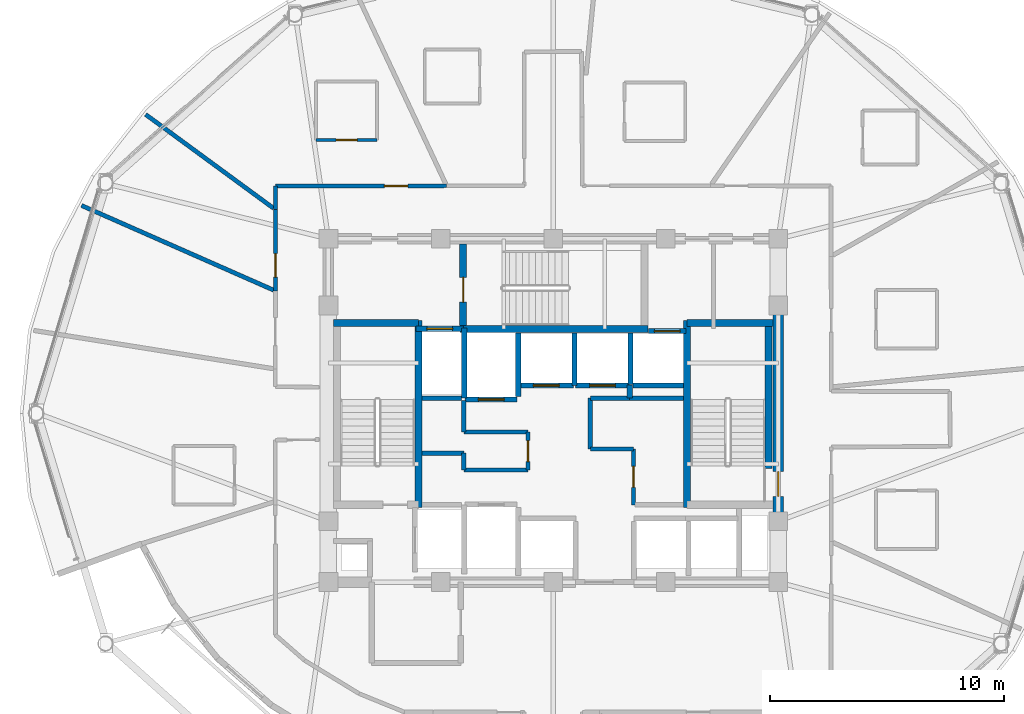
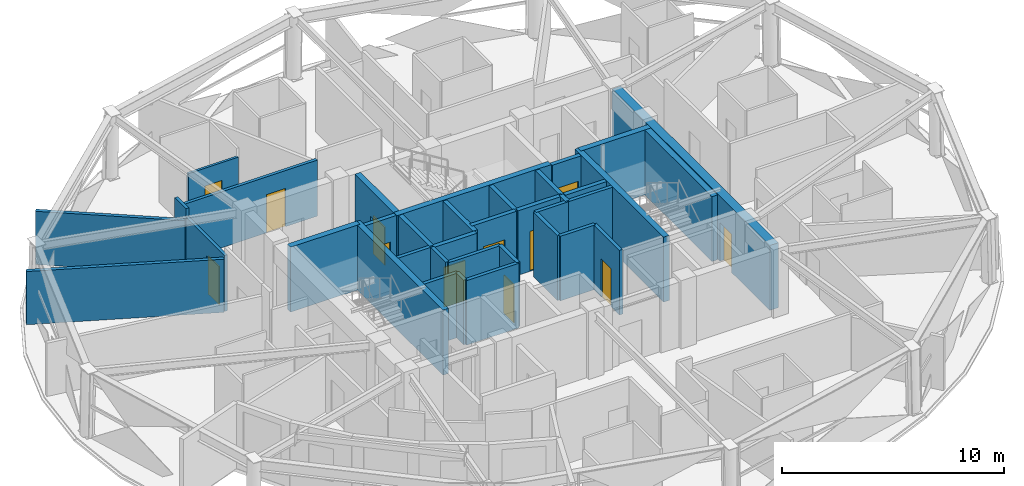
# One storey, part 12 of 18: 37 walls, 12 doors, 12 openings.
"""IFC4 building model written with IfcOpenShell, lengths in metres."""

from ifc_helpers import new_model, si_unit, direction, frame, frame_2d, origin, place, context, subcontext, project, spatial, rectangle, extrude, material, layer, layer_set, type_object, element, fill, save


model = new_model("IFC4")

# Units and contexts
model_context = context("Model", 3, precision=1e-05, world=origin(), true_north=direction((0.0, 1.0)))
body_context = subcontext(model_context, "Body", "Model", "MODEL_VIEW")
ifc_project = project(units=[si_unit("LENGTHUNIT", "METRE"), si_unit("AREAUNIT", "SQUARE_METRE"), si_unit("VOLUMEUNIT", "CUBIC_METRE"), si_unit("PLANEANGLEUNIT", "RADIAN"), si_unit("MASSUNIT", "GRAM", prefix="KILO")], contexts=[model_context])

# Site, building, storey
site_placement = place(None, origin())
site = spatial("IfcSite", under=ifc_project, at=site_placement, CompositionType="ELEMENT")
building_placement = place(site_placement, origin())
building = spatial("IfcBuilding", under=site, at=building_placement, Name="Vantalir Tower", CompositionType="ELEMENT")
storey_placement = place(building_placement, frame((0.0, 0.0, 216.14990234375)))
storey = spatial("IfcBuildingStorey", under=building, at=storey_placement, Name="L54", CompositionType="ELEMENT", Elevation=216.14990234375)

# Wall, opening, door
ifc_material_1 = material(Name="Moisture-resistant en-suite partition", Category="gypsum")
ifc_layer_1 = layer(ifc_material_1, 0.125)
ifc_layer_set_1 = layer_set([ifc_layer_1], Name="Moisture-resistant en-suite partition")
wall_type_1 = type_object("IfcWallType", Name="WL-BATH-125", PredefinedType="PARTITIONING", material=ifc_layer_set_1)
wall_1_placement = place(storey_placement, frame((21.3779296875, 36.6650390625, 0.0), z_axis=(0.0, 0.0, 1.0), x_axis=(1.0, 0.0, 0.0)))
wall_1 = element("IfcWall", 1, at=wall_1_placement, inside=storey, type_object=wall_type_1, Name="L54 En-suite 05 South Wall", PredefinedType="PARTITIONING", context=body_context, shape_type="SweptSolid", body=[
    extrude(rectangle(XDim=2.60009765625, YDim=0.125, at=frame_2d((1.300048828125, 0.0))), origin(), (0.0, 0.0, 1.0), 3.0810546875),
])
opening_1_placement = place(wall_1_placement, frame((0.85009765625, 0.0, 0.0)))
opening_1 = element("IfcOpeningElement", 2, at=opening_1_placement, cuts=wall_1, Name="Opening D-WC", PredefinedType="OPENING", context=body_context, shape_type="SweptSolid", body=[
    extrude(rectangle(XDim=0.89990234375, YDim=2.10009765625, at=frame_2d((0.449951171875, 1.050048828125))), frame((0.0, 0.072509765625, 0.0), z_axis=(0.0, -1.0, 0.0), x_axis=(1.0, 0.0, 0.0)), (0.0, 0.0, 1.0), 0.14501953125),
])
ifc_material_2 = material(Name="Moisture-resistant hardwood door", Category="wood")
door_type_1 = type_object("IfcDoorType", Name="DR-ENSUITE-900", OperationType="NOTDEFINED", PredefinedType="DOOR", material=ifc_material_2)
door_1_placement = place(opening_1_placement, origin())
door_1 = element("IfcDoor", 3, at=door_1_placement, inside=storey, type_object=door_type_1, Name="L54 En-suite 05 Door", OperationType="SINGLE_SWING_RIGHT", OverallHeight=2.10009765625, OverallWidth=0.89990234375, PredefinedType="DOOR", context=body_context, shape_type="SweptSolid", body=[
    extrude(rectangle(XDim=0.89990234375, YDim=2.10009765625, at=frame_2d((0.449951171875, 1.050048828125))), frame((0.0, 0.02490234375, 0.0), z_axis=(0.0, -1.0, 0.0), x_axis=(1.0, 0.0, 0.0)), (0.0, 0.0, 1.0), 0.050048828125),
])
fill(opening_1, door_1)

ifc_material_3 = material(Name="Concrete C50/60", Category="concrete")
ifc_layer_2 = layer(ifc_material_3, 0.449951171875)
ifc_layer_set_2 = layer_set([ifc_layer_2], Name="Concrete C50/60")
wall_type_2 = type_object("IfcWallType", Name="WL-CORE-450", PredefinedType="SHEAR", material=ifc_layer_set_2)
wall_2_placement = place(storey_placement, frame((41.10009765625, 18.02490234375, 0.0), z_axis=(0.0, 0.0, 1.0), x_axis=(0.0, 1.0, 0.0)))
wall_2 = element("IfcWall", 4, at=wall_2_placement, inside=storey, type_object=wall_type_2, Name="L54 Core Shear Wall East", PredefinedType="SHEAR", context=body_context, shape_type="SweptSolid", body=[
    extrude(rectangle(XDim=14.2001953125, YDim=0.449951171875, at=frame_2d((7.10009765625, 0.0))), origin(), (0.0, 0.0, 1.0), 3.570068359375),
])
opening_2_placement = place(wall_2_placement, frame((3.43505859375, 0.0, 0.0)))
opening_2 = element("IfcOpeningElement", 5, at=opening_2_placement, cuts=wall_2, Name="Opening D-ST", PredefinedType="OPENING", context=body_context, shape_type="SweptSolid", body=[
    extrude(rectangle(XDim=1.050048828125, YDim=2.10009765625, at=frame_2d((0.52490234375, 1.050048828125))), frame((0.0, 0.23486328125, 0.0), z_axis=(0.0, -1.0, 0.0), x_axis=(1.0, 0.0, 0.0)), (0.0, 0.0, 1.0), 0.469970703125),
])
ifc_material_4 = material(Name="Fire-rated steel door leaf", Category="steel")
door_type_2 = type_object("IfcDoorType", Name="DR-FIRE-STAIR-1050", OperationType="NOTDEFINED", PredefinedType="DOOR", material=ifc_material_4)
door_2_placement = place(opening_2_placement, origin())
door_2 = element("IfcDoor", 6, at=door_2_placement, inside=storey, type_object=door_type_2, Name="L54 Exit Stair ST2 Fire Door", OperationType="SINGLE_SWING_LEFT", OverallHeight=2.10009765625, OverallWidth=1.050048828125, PredefinedType="DOOR", context=body_context, shape_type="SweptSolid", body=[
    extrude(rectangle(XDim=1.050048828125, YDim=2.10009765625, at=frame_2d((0.52490234375, 1.050048828125))), frame((0.0, 0.02490234375, 0.0), z_axis=(0.0, -1.0, 0.0), x_axis=(1.0, 0.0, 0.0)), (0.0, 0.0, 1.0), 0.050048828125),
])
fill(opening_2, door_2)

ifc_material_5 = material(Name="Fire-rated hotel corridor acoustic partition", Category="gypsum")
ifc_layer_3 = layer(ifc_material_5, 0.159912109375)
ifc_layer_set_3 = layer_set([ifc_layer_3], Name="Fire-rated hotel corridor acoustic partition")
wall_type_3 = type_object("IfcWallType", Name="WL-CORR-160", PredefinedType="PARTITIONING", material=ifc_layer_set_3)
wall_3_placement = place(storey_placement, frame((19.639892578125, 30.22607421875, 0.0), z_axis=(0.0, 0.0, 1.0), x_axis=(0.000915428107, 0.999999580996, 0.0)))
wall_3 = element("IfcWall", 7, at=wall_3_placement, inside=storey, type_object=wall_type_3, Name="L54 Corridor Partition 04", PredefinedType="PARTITIONING", context=body_context, shape_type="SweptSolid", body=[
    extrude(rectangle(XDim=3.467041015625, YDim=0.159912109375, at=frame_2d((1.7333984375, 0.0))), origin(), (0.0, 0.0, 1.0), 3.0810546875),
])
opening_3_placement = place(wall_3_placement, frame((0.589111328125, 0.0, 0.0)))
opening_3 = element("IfcOpeningElement", 8, at=opening_3_placement, cuts=wall_3, Name="Opening D-GUEST", PredefinedType="OPENING", context=body_context, shape_type="SweptSolid", body=[
    extrude(rectangle(XDim=1.0, YDim=2.10009765625, at=frame_2d((0.5, 1.050048828125))), frame((0.0, 0.08984375, 0.0), z_axis=(0.0, -1.0, 0.0), x_axis=(1.0, 0.0, 0.0)), (0.0, 0.0, 1.0), 0.179931640625),
])
ifc_material_6 = material(Name="Solid-core teak veneer acoustic fire door", Category="wood")
door_type_3 = type_object("IfcDoorType", Name="DR-GUEST-ENTRY-1000", OperationType="NOTDEFINED", PredefinedType="DOOR", material=ifc_material_6)
door_3_placement = place(opening_3_placement, origin())
door_3 = element("IfcDoor", 9, at=door_3_placement, inside=storey, type_object=door_type_3, Name="L54 Executive Business Study 06 Door", OperationType="SINGLE_SWING_LEFT", OverallHeight=2.10009765625, OverallWidth=1.0, PredefinedType="DOOR", context=body_context, shape_type="SweptSolid", body=[
    extrude(rectangle(XDim=1.0, YDim=2.10009765625, at=frame_2d((0.5, 1.050048828125))), frame((0.0, 0.02490234375, 0.0), z_axis=(0.0, -1.0, 0.0), x_axis=(1.0, 0.0, 0.0)), (0.0, 0.0, 1.0), 0.050048828125),
])
fill(opening_3, door_3)

# Wall
wall_4_placement = place(storey_placement, frame((19.64306640625, 33.693115234375, 0.0), z_axis=(0.0, 0.0, 1.0), x_axis=(0.000969931649, 0.999999529616, 0.0)))
element("IfcWall", 10, at=wall_4_placement, inside=storey, type_object=wall_type_3, Name="L54 Corridor Partition 05", PredefinedType="PARTITIONING", context=body_context, shape_type="SweptSolid", body=[
    extrude(rectangle(XDim=1.0068359375, YDim=0.159912109375, at=frame_2d((0.50341796875, 0.0))), origin(), (0.0, 0.0, 1.0), 3.550048828125),
])

# Wall, opening, door
wall_5_placement = place(storey_placement, frame((19.64404296875, 34.699951171875, 0.0), z_axis=(0.0, 0.0, 1.0), x_axis=(0.999999060672, 0.00137064024, 0.0)))
wall_5 = element("IfcWall", 11, at=wall_5_placement, inside=storey, type_object=wall_type_3, Name="L54 Corridor Partition 06", PredefinedType="PARTITIONING", context=body_context, shape_type="SweptSolid", body=[
    extrude(rectangle(XDim=7.302978515625, YDim=0.159912109375, at=frame_2d((3.6513671875, 0.0))), origin(), (0.0, 0.0, 1.0), 3.0810546875),
])
opening_4_placement = place(wall_5_placement, frame((4.64697265625, 0.0, 0.0)))
opening_4 = element("IfcOpeningElement", 12, at=opening_4_placement, cuts=wall_5, Name="Opening D-GUEST", PredefinedType="OPENING", context=body_context, shape_type="SweptSolid", body=[
    extrude(rectangle(XDim=1.0, YDim=2.10009765625, at=frame_2d((0.5, 1.050048828125))), frame((0.0, 0.08984375, 0.0), z_axis=(0.0, -1.0, 0.0), x_axis=(1.0, 0.0, 0.0)), (0.0, 0.0, 1.0), 0.179931640625),
])
door_4_placement = place(opening_4_placement, origin())
door_4 = element("IfcDoor", 13, at=door_4_placement, inside=storey, type_object=door_type_3, Name="L54 Twin Queen Hotel Room 05 Door", OperationType="SINGLE_SWING_RIGHT", OverallHeight=2.10009765625, OverallWidth=1.0, PredefinedType="DOOR", context=body_context, shape_type="SweptSolid", body=[
    extrude(rectangle(XDim=1.0, YDim=2.10009765625, at=frame_2d((0.5, 1.050048828125))), frame((0.0, 0.02490234375, 0.0), z_axis=(0.0, -1.0, 0.0), x_axis=(1.0, 0.0, 0.0)), (0.0, 0.0, 1.0), 0.050048828125),
])
fill(opening_4, door_4)

# Walls
ifc_material_7 = material(Name="Concrete blockwork with fireboard lining", Category="masonry")
ifc_layer_4 = layer(ifc_material_7, 0.219970703125)
ifc_layer_set_4 = layer_set([ifc_layer_4], Name="Concrete blockwork with fireboard lining")
wall_type_4 = type_object("IfcWallType", Name="WL-FFL-220", PredefinedType="PARTITIONING", material=ifc_layer_set_4)
wall_6_placement = place(storey_placement, frame((30.0, 25.7099609375, 0.0), z_axis=(0.0, 0.0, 1.0), x_axis=(0.0, 1.0, 0.0)))
element("IfcWall", 14, at=wall_6_placement, inside=storey, type_object=wall_type_4, Name="L54 Service Lift SV2 East Shaft Wall", PredefinedType="PARTITIONING", context=body_context, shape_type="SweptSolid", body=[
    extrude(rectangle(XDim=2.72998046875, YDim=0.219970703125, at=frame_2d((1.364990234375, 0.0))), origin(), (0.0, 0.0, 1.0), 3.545166015625),
])
wall_7_placement = place(storey_placement, frame((32.39990234375, 26.199951171875, 0.0), z_axis=(0.0, 0.0, 1.0), x_axis=(0.0, 1.0, 0.0)))
element("IfcWall", 15, at=wall_7_placement, inside=storey, type_object=wall_type_4, Name="L54 High-Rise Lift PL-H1/H2 Shaft Divider", PredefinedType="PARTITIONING", context=body_context, shape_type="SweptSolid", body=[
    extrude(rectangle(XDim=2.239990234375, YDim=0.219970703125, at=frame_2d((1.1201171875, 0.0))), origin(), (0.0, 0.0, 1.0), 3.545166015625),
])
wall_8_placement = place(storey_placement, frame((34.800048828125, 26.22998046875, 0.0), z_axis=(0.0, 0.0, 1.0), x_axis=(0.0, 1.0, 0.0)))
element("IfcWall", 16, at=wall_8_placement, inside=storey, type_object=wall_type_4, Name="L54 High-Rise Lift PL-H2/H3 Shaft Divider", PredefinedType="PARTITIONING", context=body_context, shape_type="SweptSolid", body=[
    extrude(rectangle(XDim=2.2099609375, YDim=0.219970703125, at=frame_2d((1.10498046875, 0.0))), origin(), (0.0, 0.0, 1.0), 3.545166015625),
])
wall_9_placement = place(storey_placement, frame((34.909912109375, 26.18994140625, 0.0), z_axis=(0.0, 0.0, 1.0), x_axis=(1.0, 0.0, 0.0)))
element("IfcWall", 17, at=wall_9_placement, inside=storey, type_object=wall_type_4, Name="L54 High-Rise Lift PL-H3 Rear Shaft Wall", PredefinedType="PARTITIONING", context=body_context, shape_type="SweptSolid", body=[
    extrude(rectangle(XDim=2.14013671875, YDim=0.219970703125, at=frame_2d((1.070068359375, 0.0))), origin(), (0.0, 0.0, 1.0), 3.545166015625),
])

# Wall, opening, door
wall_10_placement = place(storey_placement, frame((25.639892578125, 28.610107421875, 0.0), z_axis=(0.0, 0.0, 1.0), x_axis=(1.0, 0.0, 0.0)))
wall_10 = element("IfcWall", 18, at=wall_10_placement, inside=storey, type_object=wall_type_4, Name="L54 Lift FL2 Shaft Front Wall", PredefinedType="PARTITIONING", context=body_context, shape_type="SweptSolid", body=[
    extrude(rectangle(XDim=2.02001953125, YDim=0.219970703125, at=frame_2d((1.010009765625, 0.0))), origin(), (0.0, 0.0, 1.0), 3.550048828125),
])
opening_5_placement = place(wall_10_placement, frame((0.4599609375, 0.0, 0.0)))
opening_5 = element("IfcOpeningElement", 19, at=opening_5_placement, cuts=wall_10, Name="Opening LD-FL2", PredefinedType="OPENING", context=body_context, shape_type="SweptSolid", body=[
    extrude(rectangle(XDim=1.10009765625, YDim=2.199951171875, at=frame_2d((0.550048828125, 1.10009765625))), frame((0.0, 0.119873046875, 0.0), z_axis=(0.0, -1.0, 0.0), x_axis=(1.0, 0.0, 0.0)), (0.0, 0.0, 1.0), 0.239990234375),
])
ifc_material_8 = material(Name="Brushed stainless-steel sliding lift landing door", Category="steel")
door_type_4 = type_object("IfcDoorType", Name="DR-LIFT-LANDING-1100", OperationType="DOUBLE_DOOR_SLIDING", PredefinedType="DOOR", material=ifc_material_8)
door_5_placement = place(opening_5_placement, origin())
door_5 = element("IfcDoor", 20, at=door_5_placement, inside=storey, type_object=door_type_4, Name="L54 Lift Landing Door FL2", OperationType="DOUBLE_DOOR_SLIDING", OverallHeight=2.199951171875, OverallWidth=1.10009765625, PredefinedType="DOOR", context=body_context, shape_type="SweptSolid", body=[
    extrude(rectangle(XDim=1.10009765625, YDim=2.199951171875, at=frame_2d((0.550048828125, 1.10009765625))), frame((0.0, 0.02490234375, 0.0), z_axis=(0.0, -1.0, 0.0), x_axis=(1.0, 0.0, 0.0)), (0.0, 0.0, 1.0), 0.050048828125),
])
fill(opening_5, door_5)

wall_11_placement = place(storey_placement, frame((27.739990234375, 25.590087890625, 0.0), z_axis=(0.0, 0.0, 1.0), x_axis=(1.0, 0.0, 0.0)))
wall_11 = element("IfcWall", 21, at=wall_11_placement, inside=storey, type_object=wall_type_4, Name="L54 Lift SV2 Shaft Front Wall", PredefinedType="PARTITIONING", context=body_context, shape_type="SweptSolid", body=[
    extrude(rectangle(XDim=2.219970703125, YDim=0.219970703125, at=frame_2d((1.10986328125, 0.0))), origin(), (0.0, 0.0, 1.0), 3.550048828125),
])
opening_6_placement = place(wall_11_placement, frame((0.56005859375, 0.0, 0.0)))
opening_6 = element("IfcOpeningElement", 22, at=opening_6_placement, cuts=wall_11, Name="Opening LD-SV2", PredefinedType="OPENING", context=body_context, shape_type="SweptSolid", body=[
    extrude(rectangle(XDim=1.10009765625, YDim=2.199951171875, at=frame_2d((0.550048828125, 1.10009765625))), frame((0.0, 0.119873046875, 0.0), z_axis=(0.0, -1.0, 0.0), x_axis=(1.0, 0.0, 0.0)), (0.0, 0.0, 1.0), 0.239990234375),
])
door_6_placement = place(opening_6_placement, frame((1.10009765625, 0.0, 0.0), z_axis=(0.0, 0.0, 1.0), x_axis=(-1.0, 0.0, 0.0)))
door_6 = element("IfcDoor", 23, at=door_6_placement, inside=storey, type_object=door_type_4, Name="L54 Lift Landing Door SV2", OperationType="DOUBLE_DOOR_SLIDING", OverallHeight=2.199951171875, OverallWidth=1.10009765625, PredefinedType="DOOR", context=body_context, shape_type="SweptSolid", body=[
    extrude(rectangle(XDim=1.10009765625, YDim=2.199951171875, at=frame_2d((0.550048828125, 1.10009765625))), frame((0.0, 0.02490234375, 0.0), z_axis=(0.0, -1.0, 0.0), x_axis=(1.0, 0.0, 0.0)), (0.0, 0.0, 1.0), 0.050048828125),
])
fill(opening_6, door_6)

wall_12_placement = place(storey_placement, frame((30.0400390625, 26.18994140625, 0.0), z_axis=(0.0, 0.0, 1.0), x_axis=(1.0, 0.0, 0.0)))
wall_12 = element("IfcWall", 24, at=wall_12_placement, inside=storey, type_object=wall_type_4, Name="L54 Lift PL-H1 Shaft Front Wall", PredefinedType="PARTITIONING", context=body_context, shape_type="SweptSolid", body=[
    extrude(rectangle(XDim=2.320068359375, YDim=0.219970703125, at=frame_2d((1.16015625, 0.0))), origin(), (0.0, 0.0, 1.0), 3.550048828125),
])
opening_7_placement = place(wall_12_placement, frame((0.610107421875, 0.0, 0.0)))
opening_7 = element("IfcOpeningElement", 25, at=opening_7_placement, cuts=wall_12, Name="Opening LD-PL-H1", PredefinedType="OPENING", context=body_context, shape_type="SweptSolid", body=[
    extrude(rectangle(XDim=1.10009765625, YDim=2.199951171875, at=frame_2d((0.550048828125, 1.10009765625))), frame((0.0, 0.119873046875, 0.0), z_axis=(0.0, -1.0, 0.0), x_axis=(1.0, 0.0, 0.0)), (0.0, 0.0, 1.0), 0.239990234375),
])
door_7_placement = place(opening_7_placement, frame((1.10009765625, 0.0, 0.0), z_axis=(0.0, 0.0, 1.0), x_axis=(-1.0, 0.0, 0.0)))
door_7 = element("IfcDoor", 26, at=door_7_placement, inside=storey, type_object=door_type_4, Name="L54 Lift Landing Door PL-H1", OperationType="DOUBLE_DOOR_SLIDING", OverallHeight=2.199951171875, OverallWidth=1.10009765625, PredefinedType="DOOR", context=body_context, shape_type="SweptSolid", body=[
    extrude(rectangle(XDim=1.10009765625, YDim=2.199951171875, at=frame_2d((0.550048828125, 1.10009765625))), frame((0.0, 0.02490234375, 0.0), z_axis=(0.0, -1.0, 0.0), x_axis=(1.0, 0.0, 0.0)), (0.0, 0.0, 1.0), 0.050048828125),
])
fill(opening_7, door_7)

wall_13_placement = place(storey_placement, frame((32.43994140625, 26.18994140625, 0.0), z_axis=(0.0, 0.0, 1.0), x_axis=(1.0, 0.0, 0.0)))
wall_13 = element("IfcWall", 27, at=wall_13_placement, inside=storey, type_object=wall_type_4, Name="L54 Lift PL-H2 Shaft Front Wall", PredefinedType="PARTITIONING", context=body_context, shape_type="SweptSolid", body=[
    extrude(rectangle(XDim=2.320068359375, YDim=0.219970703125, at=frame_2d((1.16015625, 0.0))), origin(), (0.0, 0.0, 1.0), 3.550048828125),
])
opening_8_placement = place(wall_13_placement, frame((0.610107421875, 0.0, 0.0)))
opening_8 = element("IfcOpeningElement", 28, at=opening_8_placement, cuts=wall_13, Name="Opening LD-PL-H2", PredefinedType="OPENING", context=body_context, shape_type="SweptSolid", body=[
    extrude(rectangle(XDim=1.10009765625, YDim=2.199951171875, at=frame_2d((0.550048828125, 1.10009765625))), frame((0.0, 0.119873046875, 0.0), z_axis=(0.0, -1.0, 0.0), x_axis=(1.0, 0.0, 0.0)), (0.0, 0.0, 1.0), 0.239990234375),
])
door_8_placement = place(opening_8_placement, frame((1.10009765625, 0.0, 0.0), z_axis=(0.0, 0.0, 1.0), x_axis=(-1.0, 0.0, 0.0)))
door_8 = element("IfcDoor", 29, at=door_8_placement, inside=storey, type_object=door_type_4, Name="L54 Lift Landing Door PL-H2", OperationType="DOUBLE_DOOR_SLIDING", OverallHeight=2.199951171875, OverallWidth=1.10009765625, PredefinedType="DOOR", context=body_context, shape_type="SweptSolid", body=[
    extrude(rectangle(XDim=1.10009765625, YDim=2.199951171875, at=frame_2d((0.550048828125, 1.10009765625))), frame((0.0, 0.02490234375, 0.0), z_axis=(0.0, -1.0, 0.0), x_axis=(1.0, 0.0, 0.0)), (0.0, 0.0, 1.0), 0.050048828125),
])
fill(opening_8, door_8)

wall_14_placement = place(storey_placement, frame((35.56005859375, 28.510009765625, 0.0), z_axis=(0.0, 0.0, 1.0), x_axis=(1.0, 0.0, 0.0)))
wall_14 = element("IfcWall", 30, at=wall_14_placement, inside=storey, type_object=wall_type_4, Name="L54 Lift PL-H3 Shaft Front Wall", PredefinedType="PARTITIONING", context=body_context, shape_type="SweptSolid", body=[
    extrude(rectangle(XDim=1.599853515625, YDim=0.219970703125, at=frame_2d((0.7998046875, 0.0))), origin(), (0.0, 0.0, 1.0), 3.550048828125),
])
opening_9_placement = place(wall_14_placement, frame((0.25, 0.0, 0.0)))
opening_9 = element("IfcOpeningElement", 31, at=opening_9_placement, cuts=wall_14, Name="Opening LD-PL-H3", PredefinedType="OPENING", context=body_context, shape_type="SweptSolid", body=[
    extrude(rectangle(XDim=1.10009765625, YDim=2.199951171875, at=frame_2d((0.550048828125, 1.10009765625))), frame((0.0, 0.119873046875, 0.0), z_axis=(0.0, -1.0, 0.0), x_axis=(1.0, 0.0, 0.0)), (0.0, 0.0, 1.0), 0.239990234375),
])
door_9_placement = place(opening_9_placement, origin())
door_9 = element("IfcDoor", 32, at=door_9_placement, inside=storey, type_object=door_type_4, Name="L54 Lift Landing Door PL-H3", OperationType="DOUBLE_DOOR_SLIDING", OverallHeight=2.199951171875, OverallWidth=1.10009765625, PredefinedType="DOOR", context=body_context, shape_type="SweptSolid", body=[
    extrude(rectangle(XDim=1.10009765625, YDim=2.199951171875, at=frame_2d((0.550048828125, 1.10009765625))), frame((0.0, 0.02490234375, 0.0), z_axis=(0.0, -1.0, 0.0), x_axis=(1.0, 0.0, 0.0)), (0.0, 0.0, 1.0), 0.050048828125),
])
fill(opening_9, door_9)

# Walls
wall_15_placement = place(storey_placement, frame((27.699951171875, 25.64990234375, 0.0), z_axis=(0.0, 0.0, 1.0), x_axis=(0.0, 1.0, 0.0)))
element("IfcWall", 33, at=wall_15_placement, inside=storey, type_object=wall_type_4, Name="L54 Fire Lift FL2 Dividing Wall", PredefinedType="PARTITIONING", context=body_context, shape_type="SweptSolid", body=[
    extrude(rectangle(XDim=3.0, YDim=0.219970703125, at=frame_2d((1.5, 0.0))), origin(), (0.0, 0.0, 1.0), 3.550048828125),
])
wall_16_placement = place(storey_placement, frame((34.760009765625, 25.64990234375, 0.0), z_axis=(0.0, 0.0, 1.0), x_axis=(0.0, 1.0, 0.0)))
element("IfcWall", 34, at=wall_16_placement, inside=storey, type_object=wall_type_4, Name="L54 High-Rise Shaft Shoulder Wall", PredefinedType="PARTITIONING", context=body_context, shape_type="SweptSolid", body=[
    extrude(rectangle(XDim=0.570068359375, YDim=0.219970703125, at=frame_2d((0.28515625, 0.0))), origin(), (0.0, 0.0, 1.0), 3.550048828125),
])
ifc_material_9 = material(Name="Twin-stud acoustic fire-rated gypsum partition", Category="gypsum")
ifc_layer_5 = layer(ifc_material_9, 0.179931640625)
ifc_layer_set_5 = layer_set([ifc_layer_5], Name="Twin-stud acoustic fire-rated gypsum partition")
wall_type_5 = type_object("IfcWallType", Name="WL-GUEST-180", PredefinedType="PARTITIONING", material=ifc_layer_set_5)
wall_17_placement = place(storey_placement, frame((25.889892578125, 25.64990234375, 0.0), z_axis=(0.0, 0.0, 1.0), x_axis=(1.0, 0.0, 0.0)))
element("IfcWall", 35, at=wall_17_placement, inside=storey, type_object=wall_type_5, Name="L54 Freed West Core North Wall", PredefinedType="PARTITIONING", context=body_context, shape_type="SweptSolid", body=[
    extrude(rectangle(XDim=1.7001953125, YDim=0.179931640625, at=frame_2d((0.85009765625, 0.0))), origin(), (0.0, 0.0, 1.0), 3.550048828125),
])
wall_18_placement = place(storey_placement, frame((25.889892578125, 23.300048828125, 0.0), z_axis=(0.0, 0.0, 1.0), x_axis=(1.0, 0.0, 0.0)))
element("IfcWall", 36, at=wall_18_placement, inside=storey, type_object=wall_type_5, Name="L54 West Linen South-West Wall", PredefinedType="PARTITIONING", context=body_context, shape_type="SweptSolid", body=[
    extrude(rectangle(XDim=1.7900390625, YDim=0.179931640625, at=frame_2d((0.89501953125, 0.0))), origin(), (0.0, 0.0, 1.0), 3.550048828125),
])
wall_19_placement = place(storey_placement, frame((27.679931640625, 22.580078125, 0.0), z_axis=(0.0, 0.0, 1.0), x_axis=(0.0, 1.0, 0.0)))
element("IfcWall", 37, at=wall_19_placement, inside=storey, type_object=wall_type_5, Name="L54 West Linen Step Wall", PredefinedType="PARTITIONING", context=body_context, shape_type="SweptSolid", body=[
    extrude(rectangle(XDim=0.719970703125, YDim=0.179931640625, at=frame_2d((0.35986328125, 0.0))), origin(), (0.0, 0.0, 1.0), 3.550048828125),
])
wall_20_placement = place(storey_placement, frame((27.679931640625, 22.580078125, 0.0), z_axis=(0.0, 0.0, 1.0), x_axis=(1.0, 0.0, 0.0)))
element("IfcWall", 38, at=wall_20_placement, inside=storey, type_object=wall_type_5, Name="L54 West Linen Alcove South Wall", PredefinedType="PARTITIONING", context=body_context, shape_type="SweptSolid", body=[
    extrude(rectangle(XDim=2.739990234375, YDim=0.179931640625, at=frame_2d((1.3701171875, 0.0))), origin(), (0.0, 0.0, 1.0), 3.550048828125),
])

# Wall, opening, door
wall_21_placement = place(storey_placement, frame((30.419921875, 22.580078125, 0.0), z_axis=(0.0, 0.0, 1.0), x_axis=(0.0, 1.0, 0.0)))
wall_21 = element("IfcWall", 39, at=wall_21_placement, inside=storey, type_object=wall_type_5, Name="L54 West Linen Alcove East Wall", PredefinedType="PARTITIONING", context=body_context, shape_type="SweptSolid", body=[
    extrude(rectangle(XDim=1.619873046875, YDim=0.179931640625, at=frame_2d((0.81005859375, 0.0))), origin(), (0.0, 0.0, 1.0), 3.550048828125),
])
opening_10_placement = place(wall_21_placement, frame((0.360107421875, 0.0, 0.0)))
opening_10 = element("IfcOpeningElement", 40, at=opening_10_placement, cuts=wall_21, Name="Opening D-CR", PredefinedType="OPENING", context=body_context, shape_type="SweptSolid", body=[
    extrude(rectangle(XDim=0.89990234375, YDim=2.10009765625, at=frame_2d((0.449951171875, 1.050048828125))), frame((0.0, 0.099853515625, 0.0), z_axis=(0.0, -1.0, 0.0), x_axis=(1.0, 0.0, 0.0)), (0.0, 0.0, 1.0), 0.199951171875),
])
ifc_material_10 = material(Name="Fire-rated steel core service door", Category="steel")
door_type_5 = type_object("IfcDoorType", Name="DR-CORE-SERV-900", OperationType="NOTDEFINED", PredefinedType="DOOR", material=ifc_material_10)
door_10_placement = place(opening_10_placement, origin())
door_10 = element("IfcDoor", 41, at=door_10_placement, inside=storey, type_object=door_type_5, Name="L54 Core Linen Store Door", OperationType="SINGLE_SWING_LEFT", OverallHeight=2.10009765625, OverallWidth=0.89990234375, PredefinedType="DOOR", context=body_context, shape_type="SweptSolid", body=[
    extrude(rectangle(XDim=0.89990234375, YDim=2.10009765625, at=frame_2d((0.449951171875, 1.050048828125))), frame((0.0, 0.02490234375, 0.0), z_axis=(0.0, -1.0, 0.0), x_axis=(1.0, 0.0, 0.0)), (0.0, 0.0, 1.0), 0.050048828125),
])
fill(opening_10, door_10)

# Walls
wall_22_placement = place(storey_placement, frame((27.679931640625, 24.199951171875, 0.0), z_axis=(0.0, 0.0, 1.0), x_axis=(1.0, 0.0, 0.0)))
element("IfcWall", 42, at=wall_22_placement, inside=storey, type_object=wall_type_5, Name="L54 West Linen Alcove North Wall", PredefinedType="PARTITIONING", context=body_context, shape_type="SweptSolid", body=[
    extrude(rectangle(XDim=2.739990234375, YDim=0.179931640625, at=frame_2d((1.3701171875, 0.0))), origin(), (0.0, 0.0, 1.0), 3.550048828125),
])
wall_23_placement = place(storey_placement, frame((27.679931640625, 24.199951171875, 0.0), z_axis=(0.0, 0.0, 1.0), x_axis=(0.0, 1.0, 0.0)))
element("IfcWall", 43, at=wall_23_placement, inside=storey, type_object=wall_type_5, Name="L54 West Linen Upper East Wall", PredefinedType="PARTITIONING", context=body_context, shape_type="SweptSolid", body=[
    extrude(rectangle(XDim=1.360107421875, YDim=0.179931640625, at=frame_2d((0.68017578125, 0.0))), origin(), (0.0, 0.0, 1.0), 3.550048828125),
])
wall_24_placement = place(storey_placement, frame((34.719970703125, 25.64990234375, 0.0), z_axis=(0.0, 0.0, 1.0), x_axis=(1.0, 0.0, 0.0)))
element("IfcWall", 44, at=wall_24_placement, inside=storey, type_object=wall_type_5, Name="L54 Freed East Core North Wall", PredefinedType="PARTITIONING", context=body_context, shape_type="SweptSolid", body=[
    extrude(rectangle(XDim=2.340087890625, YDim=0.179931640625, at=frame_2d((1.169921875, 0.0))), origin(), (0.0, 0.0, 1.0), 3.550048828125),
])
wall_25_placement = place(storey_placement, frame((33.080078125, 25.64990234375, 0.0), z_axis=(0.0, 0.0, 1.0), x_axis=(1.0, 0.0, 0.0)))
element("IfcWall", 45, at=wall_25_placement, inside=storey, type_object=wall_type_5, Name="L54 East Core Alcove North Wall", PredefinedType="PARTITIONING", context=body_context, shape_type="SweptSolid", body=[
    extrude(rectangle(XDim=1.679931640625, YDim=0.179931640625, at=frame_2d((0.83984375, 0.0))), origin(), (0.0, 0.0, 1.0), 3.550048828125),
])
wall_26_placement = place(storey_placement, frame((33.080078125, 23.47998046875, 0.0), z_axis=(0.0, 0.0, 1.0), x_axis=(0.0, 1.0, 0.0)))
element("IfcWall", 46, at=wall_26_placement, inside=storey, type_object=wall_type_5, Name="L54 East Core Alcove West Wall", PredefinedType="PARTITIONING", context=body_context, shape_type="SweptSolid", body=[
    extrude(rectangle(XDim=2.169921875, YDim=0.179931640625, at=frame_2d((1.0849609375, 0.0))), origin(), (0.0, 0.0, 1.0), 3.550048828125),
])
wall_27_placement = place(storey_placement, frame((33.080078125, 23.47998046875, 0.0), z_axis=(0.0, 0.0, 1.0), x_axis=(1.0, 0.0, 0.0)))
element("IfcWall", 47, at=wall_27_placement, inside=storey, type_object=wall_type_5, Name="L54 East Core Alcove South Wall", PredefinedType="PARTITIONING", context=body_context, shape_type="SweptSolid", body=[
    extrude(rectangle(XDim=1.83984375, YDim=0.179931640625, at=frame_2d((0.919921875, 0.0))), origin(), (0.0, 0.0, 1.0), 3.550048828125),
])

# Wall, opening, door
wall_28_placement = place(storey_placement, frame((34.919921875, 21.10009765625, 0.0), z_axis=(0.0, 0.0, 1.0), x_axis=(0.0, 1.0, 0.0)))
wall_28 = element("IfcWall", 48, at=wall_28_placement, inside=storey, type_object=wall_type_5, Name="L54 East Core Lower West Wall", PredefinedType="PARTITIONING", context=body_context, shape_type="SweptSolid", body=[
    extrude(rectangle(XDim=2.3798828125, YDim=0.179931640625, at=frame_2d((1.18994140625, 0.0))), origin(), (0.0, 0.0, 1.0), 3.550048828125),
])
opening_11_placement = place(wall_28_placement, frame((0.739990234375, 0.0, 0.0)))
opening_11 = element("IfcOpeningElement", 49, at=opening_11_placement, cuts=wall_28, Name="Opening D-CR", PredefinedType="OPENING", context=body_context, shape_type="SweptSolid", body=[
    extrude(rectangle(XDim=0.89990234375, YDim=2.10009765625, at=frame_2d((0.449951171875, 1.050048828125))), frame((0.0, 0.099853515625, 0.0), z_axis=(0.0, -1.0, 0.0), x_axis=(1.0, 0.0, 0.0)), (0.0, 0.0, 1.0), 0.199951171875),
])
door_11_placement = place(opening_11_placement, frame((0.89990234375, 0.0, 0.0), z_axis=(0.0, 0.0, 1.0), x_axis=(-1.0, 0.0, 0.0)))
door_11 = element("IfcDoor", 50, at=door_11_placement, inside=storey, type_object=door_type_5, Name="L54 Core Telecoms Door", OperationType="SINGLE_SWING_LEFT", OverallHeight=2.10009765625, OverallWidth=0.89990234375, PredefinedType="DOOR", context=body_context, shape_type="SweptSolid", body=[
    extrude(rectangle(XDim=0.89990234375, YDim=2.10009765625, at=frame_2d((0.449951171875, 1.050048828125))), frame((0.0, 0.02490234375, 0.0), z_axis=(0.0, -1.0, 0.0), x_axis=(1.0, 0.0, 0.0)), (0.0, 0.0, 1.0), 0.050048828125),
])
fill(opening_11, door_11)

# Walls
wall_29_placement = place(storey_placement, frame((19.56005859375, 33.75390625, 0.0), z_axis=(0.0, 0.0, 1.0), x_axis=(-0.806479522946, 0.591262022346, 0.0)))
element("IfcWall", 51, at=wall_29_placement, inside=storey, type_object=wall_type_5, Name="L54 Radial Suite Partition 06", PredefinedType="PARTITIONING", context=body_context, shape_type="SweptSolid", body=[
    extrude(rectangle(XDim=6.768798828125, YDim=0.179931640625, at=frame_2d((3.38427734375, 0.0))), origin(), (0.0, 0.0, 1.0), 2.925048828125),
])
wall_30_placement = place(storey_placement, frame((19.56005859375, 30.260986328125, 0.0), z_axis=(0.0, 0.0, 1.0), x_axis=(-0.915116360682, 0.403189839172, 0.0)))
element("IfcWall", 52, at=wall_30_placement, inside=storey, type_object=wall_type_5, Name="L54 Radial Suite Partition 07", PredefinedType="PARTITIONING", context=body_context, shape_type="SweptSolid", body=[
    extrude(rectangle(XDim=8.956298828125, YDim=0.179931640625, at=frame_2d((4.47802734375, 0.0))), origin(), (0.0, 0.0, 1.0), 2.925048828125),
])
ifc_layer_6 = layer(ifc_material_3, 0.300048828125)
ifc_layer_set_6 = layer_set([ifc_layer_6], Name="Concrete C50/60")
wall_type_6 = type_object("IfcWallType", Name="WL-STAIR-300", PredefinedType="SHEAR", material=ifc_layer_set_6)
wall_31_placement = place(storey_placement, frame((22.125, 28.85009765625, 0.0), z_axis=(0.0, 0.0, 1.0), x_axis=(1.0, 0.0, 0.0)))
element("IfcWall", 53, at=wall_31_placement, inside=storey, type_object=wall_type_6, Name="L54 Stair ST1 North Wall", PredefinedType="SHEAR", context=body_context, shape_type="SweptSolid", body=[
    extrude(rectangle(XDim=3.614990234375, YDim=0.300048828125, at=frame_2d((1.8076171875, 0.0))), origin(), (0.0, 0.0, 1.0), 3.570068359375),
])
wall_32_placement = place(storey_placement, frame((25.739990234375, 20.97998046875, 0.0), z_axis=(0.0, 0.0, 1.0), x_axis=(0.0, 1.0, 0.0)))
element("IfcWall", 54, at=wall_32_placement, inside=storey, type_object=wall_type_6, Name="L54 Stair ST1 East Wall", PredefinedType="SHEAR", context=body_context, shape_type="SweptSolid", body=[
    extrude(rectangle(XDim=7.989990234375, YDim=0.300048828125, at=frame_2d((3.9951171875, 0.0))), origin(), (0.0, 0.0, 1.0), 3.570068359375),
])
wall_33_placement = place(storey_placement, frame((37.2099609375, 28.85009765625, 0.0), z_axis=(0.0, 0.0, 1.0), x_axis=(1.0, 0.0, 0.0)))
element("IfcWall", 55, at=wall_33_placement, inside=storey, type_object=wall_type_6, Name="L54 Stair ST2 North Wall", PredefinedType="SHEAR", context=body_context, shape_type="SweptSolid", body=[
    extrude(rectangle(XDim=3.6650390625, YDim=0.300048828125, at=frame_2d((1.83251953125, 0.0))), origin(), (0.0, 0.0, 1.0), 3.570068359375),
])
wall_34_placement = place(storey_placement, frame((37.2099609375, 20.97998046875, 0.0), z_axis=(0.0, 0.0, 1.0), x_axis=(0.0, 1.0, 0.0)))
element("IfcWall", 56, at=wall_34_placement, inside=storey, type_object=wall_type_6, Name="L54 Stair ST2 West Wall", PredefinedType="SHEAR", context=body_context, shape_type="SweptSolid", body=[
    extrude(rectangle(XDim=7.989990234375, YDim=0.300048828125, at=frame_2d((3.9951171875, 0.0))), origin(), (0.0, 0.0, 1.0), 3.570068359375),
])
wall_35_placement = place(storey_placement, frame((40.68994140625, 22.64990234375, 0.0), z_axis=(0.0, 0.0, 1.0), x_axis=(0.0, 1.0, 0.0)))
element("IfcWall", 57, at=wall_35_placement, inside=storey, type_object=wall_type_6, Name="L54 Stair ST2 East Liner Wall", PredefinedType="SHEAR", context=body_context, shape_type="SweptSolid", body=[
    extrude(rectangle(XDim=6.2001953125, YDim=0.300048828125, at=frame_2d((3.10009765625, 0.0))), origin(), (0.0, 0.0, 1.0), 3.570068359375),
])
wall_36_placement = place(storey_placement, frame((27.510009765625, 28.60009765625, 0.0), z_axis=(0.0, 0.0, 1.0), x_axis=(1.0, 0.0, 0.0)))
element("IfcWall", 58, at=wall_36_placement, inside=storey, type_object=wall_type_6, Name="L54 Stair ST3 South Wall", PredefinedType="SHEAR", context=body_context, shape_type="SweptSolid", body=[
    extrude(rectangle(XDim=8.030029296875, YDim=0.300048828125, at=frame_2d((4.01513671875, 0.0))), origin(), (0.0, 0.0, 1.0), 3.570068359375),
])

# Wall, opening, door
wall_37_placement = place(storey_placement, frame((27.64990234375, 28.75, 0.0), z_axis=(0.0, 0.0, 1.0), x_axis=(0.0, 1.0, 0.0)))
wall_37 = element("IfcWall", 59, at=wall_37_placement, inside=storey, type_object=wall_type_6, Name="L54 Stair ST3 West Wall", PredefinedType="SHEAR", context=body_context, shape_type="SweptSolid", body=[
    extrude(rectangle(XDim=3.47509765625, YDim=0.300048828125, at=frame_2d((1.737548828125, 0.0))), origin(), (0.0, 0.0, 1.0), 3.570068359375),
])
opening_12_placement = place(wall_37_placement, frame((1.0, 0.0, 0.0)))
opening_12 = element("IfcOpeningElement", 60, at=opening_12_placement, cuts=wall_37, Name="Opening D-ST", PredefinedType="OPENING", context=body_context, shape_type="SweptSolid", body=[
    extrude(rectangle(XDim=1.050048828125, YDim=2.10009765625, at=frame_2d((0.52490234375, 1.050048828125))), frame((0.0, 0.159912109375, 0.0), z_axis=(0.0, -1.0, 0.0), x_axis=(1.0, 0.0, 0.0)), (0.0, 0.0, 1.0), 0.320068359375),
])
door_12_placement = place(opening_12_placement, frame((1.050048828125, 0.0, 0.0), z_axis=(0.0, 0.0, 1.0), x_axis=(-1.0, 0.0, 0.0)))
door_12 = element("IfcDoor", 61, at=door_12_placement, inside=storey, type_object=door_type_2, Name="L54 Exit Stair ST3 Fire Door", OperationType="SINGLE_SWING_LEFT", OverallHeight=2.10009765625, OverallWidth=1.050048828125, PredefinedType="DOOR", context=body_context, shape_type="SweptSolid", body=[
    extrude(rectangle(XDim=1.050048828125, YDim=2.10009765625, at=frame_2d((0.52490234375, 1.050048828125))), frame((0.0, 0.02490234375, 0.0), z_axis=(0.0, -1.0, 0.0), x_axis=(1.0, 0.0, 0.0)), (0.0, 0.0, 1.0), 0.050048828125),
])
fill(opening_12, door_12)

save(model, "model.ifc")
